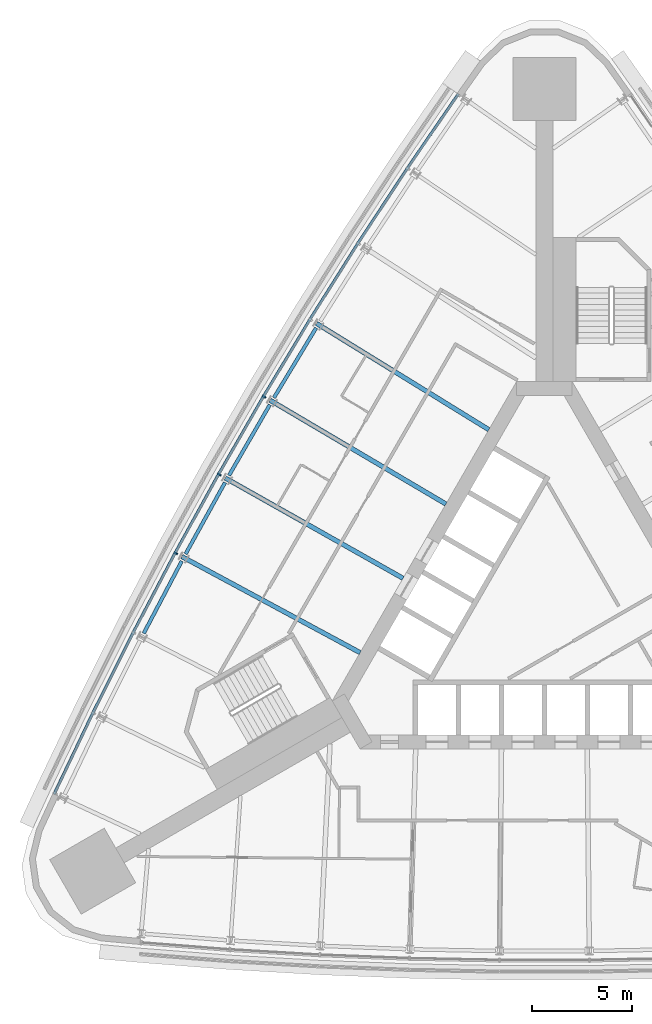
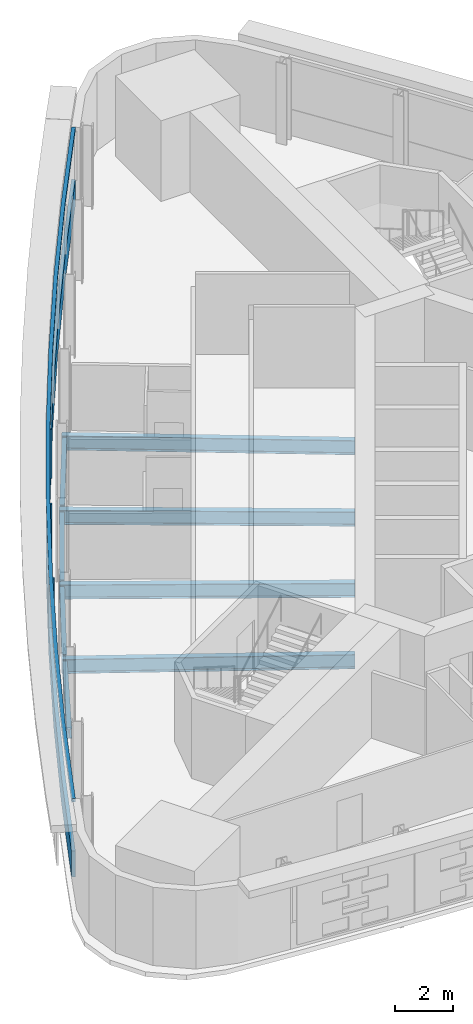
# One storey, part 4 of 13: 8 beams, 5 members, 1 element without a shape of its own.
"""IFC4 building model written with IfcOpenShell, lengths in metres."""

from ifc_helpers import new_model, si_unit, direction, frame, origin, origin_2d, place, context, subcontext, project, spatial, polyline, rectangle, i_section, outline, extrude, material, material_profile, profile_set, type_object, element, aggregate, save


model = new_model("IFC4")

# Units and contexts
model_context = context("Model", 3, precision=1e-05, world=origin(), true_north=direction((0.0, 1.0)))
body_context = subcontext(model_context, "Body", "Model", "MODEL_VIEW")
ifc_project = project(units=[si_unit("LENGTHUNIT", "METRE"), si_unit("AREAUNIT", "SQUARE_METRE"), si_unit("VOLUMEUNIT", "CUBIC_METRE"), si_unit("PLANEANGLEUNIT", "RADIAN"), si_unit("MASSUNIT", "GRAM", prefix="KILO")], contexts=[model_context])

# Site, building, storey
site_placement = place(None, origin())
site = spatial("IfcSite", under=ifc_project, at=site_placement, CompositionType="ELEMENT")
building_placement = place(site_placement, origin())
building = spatial("IfcBuilding", under=site, at=building_placement, Name="Noor Cloister Tower", CompositionType="ELEMENT")
storey_placement = place(building_placement, frame((0.0, 0.0, 79.800048828125)))
storey = spatial("IfcBuildingStorey", under=building, at=storey_placement, Name="L20", CompositionType="ELEMENT", Elevation=79.800048828125)

# Curtain wall, members
ifc_material_1 = material(Name="Aluminium 6063-T6 anodised", Category="aluminium")
curtain_wall_type = type_object("IfcCurtainWallType", Name="Ribbon curtain wall, lower tower CW1", PredefinedType="NOTDEFINED", material=ifc_material_1)
curtain_wall_placement = place(storey_placement, origin())
curtain_wall = element("IfcCurtainWall", 1, at=curtain_wall_placement, inside=storey, type_object=curtain_wall_type, Name="CW1 L20 NW run 1", PredefinedType="NOTDEFINED")
ifc_material_2 = material(Name="Aluminium 6063-T6 anodised", Category="aluminium")
member_type_1 = type_object("IfcMemberType", Name="Head transom CW1 150", PredefinedType="USERDEFINED", material=ifc_material_2)
member_1_placement = place(storey_placement, frame((0.0, 0.0, 3.14990234375)))
member_1 = element("IfcMember", 2, at=member_1_placement, type_object=member_type_1, Name="CW1 head transom", ObjectType="TRANSOM", PredefinedType="USERDEFINED", context=body_context, shape_type="SweptSolid", body=[
    extrude(outline(polyline([(-4.3642578125, 25.87255859375), (-6.910888671875, 22.162353515625), (-9.384521484375, 18.4033203125), (-11.78466796875, 14.596923828125), (-14.110107421875, 10.744384765625), (-16.360107421875, 6.847412109375), (-18.53369140625, 2.9072265625), (-20.630126953125, -1.074462890625), (-22.648681640625, -5.09619140625), (-24.58837890625, -9.15673828125), (-24.462158203125, -9.217041015625), (-22.52294921875, -5.157958984375), (-20.505615234375, -1.138427734375), (-18.410400390625, 2.8408203125), (-16.238037109375, 6.778564453125), (-13.989501953125, 10.67333984375), (-11.66552734375, 14.5234375), (-9.266845703125, 18.32763671875), (-6.794677734375, 22.084228515625), (-4.248779296875, 25.793212890625), (-4.3642578125, 25.87255859375)])), origin(), (0.0, 0.0, 1.0), 0.150146484375),
])
ifc_material_3 = material(Name="Aluminium 6063-T6 anodised", Category="aluminium")
ifc_material_profile_1 = material_profile(ifc_material_3, rectangle(XDim=0.199951171875, YDim=0.080078125, at=origin_2d()), Name="200 x 80 mullion")
ifc_profile_set_1 = profile_set([ifc_material_profile_1], Name="Aluminium 6063-T6 anodised")
member_type_2 = type_object("IfcMemberType", Name="Mullion CW1 80 x 200", PredefinedType="MULLION", material=ifc_profile_set_1)
member_2_placement = place(storey_placement, frame((-14.02392578125, 10.693603515625, 1.099853515625), z_axis=(0.0, 0.0, 1.0), x_axis=(0.86111440128, -0.508411238968, 0.0)))
member_2 = element("IfcMember", 3, at=member_2_placement, type_object=member_type_2, Name="CW1 mullion 5", PredefinedType="MULLION", context=body_context, shape_type="SweptSolid", body=[
    extrude(rectangle(XDim=0.199951171875, YDim=0.080078125, at=origin_2d()), origin(), (0.0, 0.0, 1.0), 2.050048828125),
])
member_3_placement = place(storey_placement, frame((-16.27294921875, 6.79833984375, 1.099853515625), z_axis=(0.0, 0.0, 1.0), x_axis=(0.870854249156, -0.491541327589, 0.0)))
member_3 = element("IfcMember", 4, at=member_3_placement, type_object=member_type_2, Name="CW1 mullion 6", PredefinedType="MULLION", context=body_context, shape_type="SweptSolid", body=[
    extrude(rectangle(XDim=0.199951171875, YDim=0.080078125, at=origin_2d()), origin(), (0.0, 0.0, 1.0), 2.050048828125),
])
member_4_placement = place(storey_placement, frame((-18.445556640625, 2.85986328125, 1.099853515625), z_axis=(0.0, 0.0, 1.0), x_axis=(0.880263635662, -0.474484912016, 0.0)))
member_4 = element("IfcMember", 5, at=member_4_placement, type_object=member_type_2, Name="CW1 mullion 7", PredefinedType="MULLION", context=body_context, shape_type="SweptSolid", body=[
    extrude(rectangle(XDim=0.199951171875, YDim=0.080078125, at=origin_2d()), origin(), (0.0, 0.0, 1.0), 2.050048828125),
])

# Beams
ifc_material_4 = material(Name="Steel ASTM A992 Gr 50", Category="steel")
ifc_material_profile_2 = material_profile(ifc_material_4, i_section(OverallWidth=0.22802734375, OverallDepth=0.60205078125, WebThickness=0.010498046875, FlangeThickness=0.014892578125, FilletRadius=0.0126953125, at=origin_2d()), Name="W610x101")
ifc_profile_set_2 = profile_set([ifc_material_profile_2], Name="Steel ASTM A992 Gr 50")
beam_type_1 = type_object("IfcBeamType", Name="Radial beam W610x101", PredefinedType="BEAM", material=ifc_profile_set_2)
beam_1_placement = place(storey_placement, frame((-11.399169921875, 14.359130859375, -0.5009765625), z_axis=(0.851050223373, -0.52508429542, 0.0), x_axis=(0.52508429542, 0.851050223373, 0.0)))
element("IfcBeam", 6, at=beam_1_placement, inside=storey, type_object=beam_type_1, Name="Radial beam NW 04 L20", PredefinedType="BEAM", context=body_context, shape_type="SweptSolid", body=[
    extrude(i_section(OverallWidth=0.22802734375, OverallDepth=0.60205078125, WebThickness=0.010498046875, FlangeThickness=0.014892578125, FilletRadius=0.0126953125, at=origin_2d()), origin(), (0.0, 0.0, 1.0), 10.127685546875),
])
beam_2_placement = place(storey_placement, frame((-13.719970703125, 10.51416015625, -0.5009765625), z_axis=(0.861116863464, -0.508407068655, 0.0), x_axis=(0.508407068655, 0.861116863464, 0.0)))
element("IfcBeam", 7, at=beam_2_placement, inside=storey, type_object=beam_type_1, Name="Radial beam NW 05 L20", PredefinedType="BEAM", context=body_context, shape_type="SweptSolid", body=[
    extrude(i_section(OverallWidth=0.22802734375, OverallDepth=0.60205078125, WebThickness=0.010498046875, FlangeThickness=0.014892578125, FilletRadius=0.0126953125, at=origin_2d()), origin(), (0.0, 0.0, 1.0), 10.211181640625),
])
beam_3_placement = place(storey_placement, frame((-15.965576171875, 6.624755859375, -0.5009765625), z_axis=(0.870854352665, -0.491541144203, 0.0), x_axis=(0.491541144203, 0.870854352665, 0.0)))
element("IfcBeam", 8, at=beam_3_placement, inside=storey, type_object=beam_type_1, Name="Radial beam NW 06 L20", PredefinedType="BEAM", context=body_context, shape_type="SweptSolid", body=[
    extrude(i_section(OverallWidth=0.22802734375, OverallDepth=0.60205078125, WebThickness=0.010498046875, FlangeThickness=0.014892578125, FilletRadius=0.0126953125, at=origin_2d()), origin(), (0.0, 0.0, 1.0), 10.21142578125),
])
beam_4_placement = place(storey_placement, frame((-18.134765625, 2.6923828125, -0.5009765625), z_axis=(0.880258916422, -0.474493667039, 0.0), x_axis=(0.474493667039, 0.880258916422, 0.0)))
element("IfcBeam", 9, at=beam_4_placement, inside=storey, type_object=beam_type_1, Name="Radial beam NW 07 L20", PredefinedType="BEAM", context=body_context, shape_type="SweptSolid", body=[
    extrude(i_section(OverallWidth=0.22802734375, OverallDepth=0.60205078125, WebThickness=0.010498046875, FlangeThickness=0.014892578125, FilletRadius=0.0126953125, at=origin_2d()), origin(), (0.0, 0.0, 1.0), 10.12744140625),
])

# Member
ifc_material_5 = material(Name="Aluminium 6063-T6 anodised", Category="aluminium")
member_type_3 = type_object("IfcMemberType", Name="Sill transom CW1 1100", PredefinedType="USERDEFINED", material=ifc_material_5)
member_5_placement = place(storey_placement, origin())
member_5 = element("IfcMember", 10, at=member_5_placement, type_object=member_type_3, Name="CW1 sill transom", ObjectType="TRANSOM", PredefinedType="USERDEFINED", context=body_context, shape_type="SweptSolid", body=[
    extrude(outline(polyline([(-4.3642578125, 25.87255859375), (-6.910888671875, 22.162353515625), (-9.384521484375, 18.4033203125), (-11.78466796875, 14.596923828125), (-14.110107421875, 10.744384765625), (-16.360107421875, 6.847412109375), (-18.53369140625, 2.9072265625), (-20.630126953125, -1.074462890625), (-22.648681640625, -5.09619140625), (-24.58837890625, -9.15673828125), (-24.462158203125, -9.217041015625), (-22.52294921875, -5.157958984375), (-20.505615234375, -1.138427734375), (-18.410400390625, 2.8408203125), (-16.238037109375, 6.778564453125), (-13.989501953125, 10.67333984375), (-11.66552734375, 14.5234375), (-9.266845703125, 18.32763671875), (-6.794677734375, 22.084228515625), (-4.248779296875, 25.793212890625), (-4.3642578125, 25.87255859375)])), origin(), (0.0, 0.0, 1.0), 1.099853515625),
])

aggregate(curtain_wall, [member_2, member_3, member_4, member_5, member_1])

# Beams
ifc_material_6 = material(Name="Steel ASTM A992 Gr 50", Category="steel")
ifc_material_profile_3 = material_profile(ifc_material_6, i_section(OverallWidth=0.177978515625, OverallDepth=0.406005859375, WebThickness=0.0078125, FlangeThickness=0.0126953125, FilletRadius=0.01025390625, at=origin_2d()), Name="W410x60")
ifc_profile_set_3 = profile_set([ifc_material_profile_3], Name="Steel ASTM A992 Gr 50")
beam_type_2 = type_object("IfcBeamType", Name="Spandrel beam W410x60", PredefinedType="SPANDREL", material=ifc_profile_set_3)
for number, where, z_axis, x_axis, name in (
    (11, (-11.4208984375, 14.13525390625, -0.403076171875), (-0.516752581522, -0.856134784652, 0.0), (0.856134784652, -0.516752581522, 0.0), "Spandrel beam NW 04 L20"),
    (12, (-13.7373046875, 10.289794921875, -0.403076171875), (-0.500027665724, -0.866009430382, 0.0), (0.866009430382, -0.500027665724, 0.0), "Spandrel beam NW 05 L20"),
    (13, (-15.978515625, 6.400146484375, -0.403076171875), (-0.483063123974, -0.875585528807, 0.0), (0.875585528807, -0.483063123974, 0.0), "Spandrel beam NW 06 L20"),
    (14, (-18.1435546875, 2.467529296875, -0.403076171875), (-0.465904062136, -0.884835241661, 0.0), (0.884835241661, -0.465904062136, 0.0), "Spandrel beam NW 07 L20"),
):
    element("IfcBeam", number, at=place(storey_placement, frame(where, z_axis=z_axis, x_axis=x_axis)), inside=storey, type_object=beam_type_2, Name=name, PredefinedType="SPANDREL", context=body_context, shape_type="SweptSolid", body=[
        extrude(i_section(OverallWidth=0.177978515625, OverallDepth=0.406005859375, WebThickness=0.0078125, FlangeThickness=0.0126953125, FilletRadius=0.01025390625, at=origin_2d()), origin(), (0.0, 0.0, 1.0), 4.085205078125),
    ])

save(model, "model.ifc")
